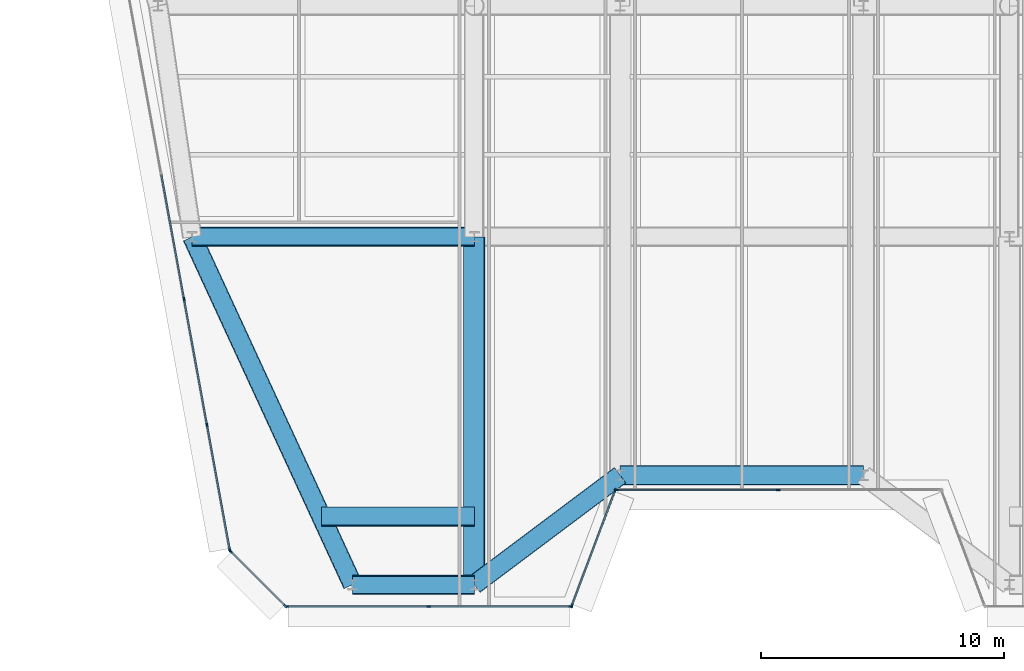
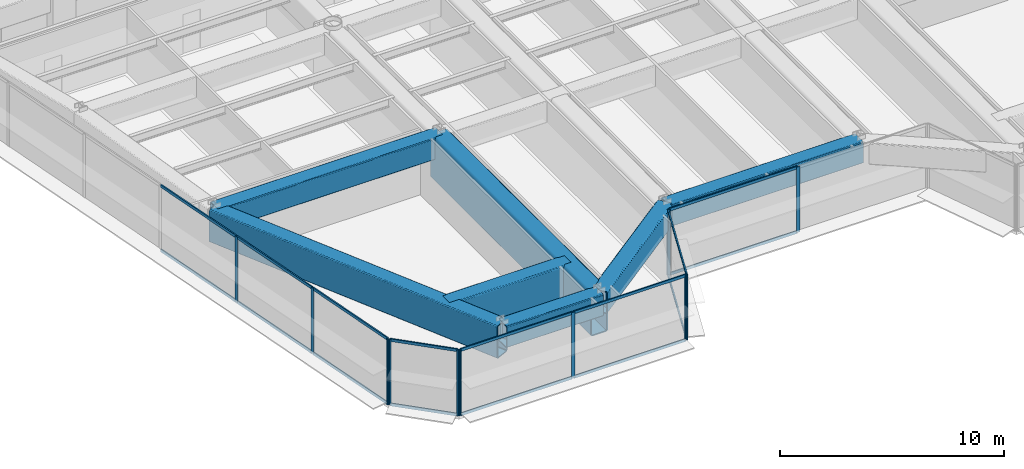
# One storey, part 2 of 17: 28 members, 7 beams, 5 elements without a shape of their own.
"""IFC4 building model written with IfcOpenShell, lengths in metres."""

from ifc_helpers import new_model, si_unit, direction, frame, origin, origin_2d, place, context, subcontext, project, spatial, rectangle, hollow_rectangle, extrude, source, transform, mapped, material, layer, layer_set, material_profile, profile_set, type_object, element, aggregate, save


model = new_model("IFC4")

# Units and contexts
model_context = context("Model", 3, precision=1e-05, world=origin(), true_north=direction((0.0, 1.0)))
body_context = subcontext(model_context, "Body", "Model", "MODEL_VIEW")
ifc_project = project(units=[si_unit("LENGTHUNIT", "METRE"), si_unit("AREAUNIT", "SQUARE_METRE"), si_unit("VOLUMEUNIT", "CUBIC_METRE"), si_unit("PLANEANGLEUNIT", "RADIAN"), si_unit("MASSUNIT", "GRAM", prefix="KILO")], contexts=[model_context])

# Site, building, storey
site_placement = place(None, origin())
site = spatial("IfcSite", under=ifc_project, at=site_placement, CompositionType="ELEMENT")
building_placement = place(site_placement, origin())
building = spatial("IfcBuilding", under=site, at=building_placement, Name="Vaeldorn Concourse Tower", CompositionType="ELEMENT")
storey_placement = place(building_placement, frame((0.0, 0.0, 176.60009765625)))
storey = spatial("IfcBuildingStorey", under=building, at=storey_placement, Name="L45", CompositionType="ELEMENT", Elevation=176.60009765625)

# Beams
ifc_material_1 = material(Name="Steel S460", Category="steel")
ifc_material_profile_1 = material_profile(ifc_material_1, hollow_rectangle(XDim=0.800048828125, YDim=1.199951171875, WallThickness=0.044921875, InnerFilletRadius=0.044921875, OuterFilletRadius=0.090087890625, at=origin_2d()), Name="RHS 1200x800x45")
ifc_profile_set_1 = profile_set([ifc_material_profile_1], Name="Steel S460")
beam_type_1 = type_object("IfcBeamType", Name="BM-TG-RHS1200", PredefinedType="BEAM", material=ifc_profile_set_1)
shared_shape_1 = source(origin(), body_context, "Body", "SweptSolid", [
    extrude(hollow_rectangle(XDim=0.800048828125, YDim=1.199951171875, WallThickness=0.044921875, InnerFilletRadius=0.044921875, OuterFilletRadius=0.090087890625, at=origin_2d()), origin(), (0.0, 0.0, 1.0), 10.0),
])
beam_1_placement = place(storey_placement, frame((29.0, 8.199951171875, 2.97998046875), z_axis=(1.0, 0.0, 0.0), x_axis=(0.0, 1.0, 0.0)))
element("IfcBeam", 1, at=beam_1_placement, inside=storey, type_object=beam_type_1, Name="Beam BM-L45-C-SF3-C-SF4", PredefinedType="BEAM", context=body_context, shape_type="MappedRepresentation", body=[
    mapped(shared_shape_1, transform((0.0, 0.0, 0.0), scale=1.0)),
])
shared_shape_2 = source(origin(), body_context, "Body", "SweptSolid", [
    extrude(hollow_rectangle(XDim=0.800048828125, YDim=1.199951171875, WallThickness=0.044921875, InnerFilletRadius=0.044921875, OuterFilletRadius=0.090087890625, at=origin_2d()), origin(), (0.0, 0.0, 1.0), 11.60009765625),
])
beam_2_placement = place(storey_placement, frame((11.39990234375, 18.0, 2.97998046875), z_axis=(1.0, 0.0, 0.0), x_axis=(0.0, 1.0, 0.0)))
element("IfcBeam", 2, at=beam_2_placement, inside=storey, type_object=beam_type_1, Name="Beam BM-L45-C-FLW2-C-TW5", PredefinedType="BEAM", context=body_context, shape_type="MappedRepresentation", body=[
    mapped(shared_shape_2, transform((0.0, 0.0, 0.0), scale=1.0)),
])
shared_shape_3 = source(origin(), body_context, "Body", "SweptSolid", [
    extrude(hollow_rectangle(XDim=0.800048828125, YDim=1.199951171875, WallThickness=0.044921875, InnerFilletRadius=0.044921875, OuterFilletRadius=0.090087890625, at=origin_2d()), origin(), (0.0, 0.0, 1.0), 5.0),
])
beam_3_placement = place(storey_placement, frame((18.0, 3.699951171875, 2.97998046875), z_axis=(1.0, 0.0, 0.0), x_axis=(0.0, 1.0, 0.0)))
element("IfcBeam", 3, at=beam_3_placement, inside=storey, type_object=beam_type_1, Name="Beam BM-L45-C-SF1-C-SF2", PredefinedType="BEAM", context=body_context, shape_type="MappedRepresentation", body=[
    mapped(shared_shape_3, transform((0.0, 0.0, 0.0), scale=1.0)),
])
shared_shape_4 = source(origin(), body_context, "Body", "SweptSolid", [
    extrude(hollow_rectangle(XDim=0.800048828125, YDim=1.199951171875, WallThickness=0.044921875, InnerFilletRadius=0.044921875, OuterFilletRadius=0.090087890625, at=origin_2d()), origin(), (0.0, 0.0, 1.0), 7.5),
])
beam_4_placement = place(storey_placement, frame((23.0, 3.699951171875, 2.97998046875), z_axis=(0.8, 0.6, 0.0), x_axis=(-0.6, 0.8, 0.0)))
element("IfcBeam", 4, at=beam_4_placement, inside=storey, type_object=beam_type_1, Name="Beam BM-L45-C-SF2-C-SF3", PredefinedType="BEAM", context=body_context, shape_type="MappedRepresentation", body=[
    mapped(shared_shape_4, transform((0.0, 0.0, 0.0), scale=1.0)),
])
ifc_material_profile_2 = material_profile(ifc_material_1, hollow_rectangle(XDim=0.89990234375, YDim=2.39990234375, WallThickness=0.06005859375, InnerFilletRadius=0.06005859375, OuterFilletRadius=0.1201171875, at=origin_2d()), Name="RHS 2400x900x60")
ifc_profile_set_2 = profile_set([ifc_material_profile_2], Name="Steel S460")
beam_type_2 = type_object("IfcBeamType", Name="BM-TG-BOX2400", PredefinedType="BEAM", material=ifc_profile_set_2)
shared_shape_5 = source(origin(), body_context, "Body", "SweptSolid", [
    extrude(hollow_rectangle(XDim=0.89990234375, YDim=2.39990234375, WallThickness=0.06005859375, InnerFilletRadius=0.06005859375, OuterFilletRadius=0.1201171875, at=origin_2d()), origin(), (0.0, 0.0, 1.0), 14.300048828125),
])
beam_5_placement = place(storey_placement, frame((23.0, 3.699951171875, 2.3798828125), z_axis=(0.0, 1.0, 0.0), x_axis=(-1.0, 0.0, 0.0)))
element("IfcBeam", 5, at=beam_5_placement, inside=storey, type_object=beam_type_2, Name="Beam BM-SETBACK-L45-C-SF2", PredefinedType="BEAM", context=body_context, shape_type="MappedRepresentation", body=[
    mapped(shared_shape_5, transform((0.0, 0.0, 0.0), scale=1.0)),
])
ifc_material_profile_3 = material_profile(ifc_material_1, hollow_rectangle(XDim=0.800048828125, YDim=1.800048828125, WallThickness=0.050048828125, InnerFilletRadius=0.050048828125, OuterFilletRadius=0.10009765625, at=origin_2d()), Name="RHS 1800x800x50")
ifc_profile_set_3 = profile_set([ifc_material_profile_3], Name="Steel S460")
beam_type_3 = type_object("IfcBeamType", Name="BM-TG-BOX1800", PredefinedType="BEAM", material=ifc_profile_set_3)
shared_shape_6 = source(origin(), body_context, "Body", "SweptSolid", [
    extrude(hollow_rectangle(XDim=0.800048828125, YDim=1.800048828125, WallThickness=0.050048828125, InnerFilletRadius=0.050048828125, OuterFilletRadius=0.10009765625, at=origin_2d()), origin(), (0.0, 0.0, 1.0), 15.749755859375),
])
beam_6_placement = place(storey_placement, frame((18.0, 3.699951171875, 2.679931640625), z_axis=(-0.419062109495, 0.907957569706, 0.0), x_axis=(-0.907957569706, -0.419062109495, 0.0)))
element("IfcBeam", 6, at=beam_6_placement, inside=storey, type_object=beam_type_3, Name="Beam BM-SETBACK-FL-L45-C-SF1", PredefinedType="BEAM", context=body_context, shape_type="MappedRepresentation", body=[
    mapped(shared_shape_6, transform((0.0, 0.0, 0.0), scale=1.0)),
])
shared_shape_7 = source(origin(), body_context, "Body", "SweptSolid", [
    extrude(hollow_rectangle(XDim=0.800048828125, YDim=1.800048828125, WallThickness=0.050048828125, InnerFilletRadius=0.050048828125, OuterFilletRadius=0.10009765625, at=origin_2d()), origin(), (0.0, 0.0, 1.0), 6.292236328125),
])
beam_7_placement = place(storey_placement, frame((16.707763671875, 6.5, 2.679931640625), z_axis=(1.0, 0.0, 0.0), x_axis=(0.0, 1.0, 0.0)))
element("IfcBeam", 7, at=beam_7_placement, inside=storey, type_object=beam_type_3, Name="Beam BM-SETBACK-EW-L45-C-SF1", PredefinedType="BEAM", context=body_context, shape_type="MappedRepresentation", body=[
    mapped(shared_shape_7, transform((0.0, 0.0, 0.0), scale=1.0)),
])

# Curtain wall, members
ifc_material_2 = material(Name="Anodised Bronze Aluminium", Category="aluminium")
ifc_layer = layer(ifc_material_2, 0.18994140625)
ifc_layer_set = layer_set([ifc_layer], Name="Anodised Bronze Aluminium")
curtain_wall_type = type_object("IfcCurtainWallType", Name="CW-SYS-03", PredefinedType="NOTDEFINED", material=ifc_layer_set)
curtain_wall_1_placement = place(storey_placement, origin())
curtain_wall_1 = element("IfcCurtainWall", 8, at=curtain_wall_1_placement, inside=storey, type_object=curtain_wall_type, Name="Unitised Curtain Wall CW-L45-E01-1", PredefinedType="NOTDEFINED")
ifc_material_profile_4 = material_profile(ifc_material_2, rectangle(XDim=0.06494140625, YDim=0.169921875, at=origin_2d()), Name="CWM 65x170")
ifc_profile_set_4 = profile_set([ifc_material_profile_4], Name="Anodised Bronze Aluminium")
member_type_1 = type_object("IfcMemberType", Name="CWM-BRONZE-170", PredefinedType="MULLION", material=ifc_profile_set_4)
shared_shape_8 = source(origin(), body_context, "Body", "SweptSolid", [
    extrude(rectangle(XDim=0.06494140625, YDim=0.169921875, at=origin_2d()), origin(), (0.0, 0.0, 1.0), 3.579833984375),
])
member_1_placement = place(storey_placement, frame((15.285400390625, 2.800048828125, 0.0), z_axis=(0.0, 0.0, 1.0), x_axis=(0.0, 1.0, 0.0)))
member_1 = element("IfcMember", 9, at=member_1_placement, type_object=member_type_1, Name="CW-03 mullion 1", PredefinedType="MULLION", context=body_context, shape_type="MappedRepresentation", body=[
    mapped(shared_shape_8, transform((0.0, 0.0, 0.0), scale=1.0)),
])
member_2_placement = place(storey_placement, frame((21.12646484375, 2.800048828125, 0.0), z_axis=(0.0, 0.0, 1.0), x_axis=(0.0, 1.0, 0.0)))
member_2 = element("IfcMember", 10, at=member_2_placement, type_object=member_type_1, Name="CW-03 mullion 2", PredefinedType="MULLION", context=body_context, shape_type="MappedRepresentation", body=[
    mapped(shared_shape_8, transform((0.0, 0.0, 0.0), scale=1.0)),
])
member_3_placement = place(storey_placement, frame((26.967529296875, 2.800048828125, 0.0), z_axis=(0.0, 0.0, 1.0), x_axis=(0.0, 1.0, 0.0)))
member_3 = element("IfcMember", 11, at=member_3_placement, type_object=member_type_1, Name="CW-03 mullion 3", PredefinedType="MULLION", context=body_context, shape_type="MappedRepresentation", body=[
    mapped(shared_shape_8, transform((0.0, 0.0, 0.0), scale=1.0)),
])

curtain_wall_2_placement = place(storey_placement, origin())
curtain_wall_2 = element("IfcCurtainWall", 12, at=curtain_wall_2_placement, inside=storey, type_object=curtain_wall_type, Name="Unitised Curtain Wall CW-L45-E02-1", PredefinedType="NOTDEFINED")
member_4_placement = place(storey_placement, frame((27.011474609375, 2.830322265625, 0.0), z_axis=(0.0, 0.0, 1.0), x_axis=(-0.936329177566, 0.351123441595, 0.0)))
member_4 = element("IfcMember", 13, at=member_4_placement, type_object=member_type_1, Name="CW-03 mullion 1", PredefinedType="MULLION", context=body_context, shape_type="MappedRepresentation", body=[
    mapped(shared_shape_8, transform((0.0, 0.0, 0.0), scale=1.0)),
])
member_5_placement = place(storey_placement, frame((28.78857421875, 7.569580078125, 0.0), z_axis=(0.0, 0.0, 1.0), x_axis=(-0.936329177566, 0.351123441595, 0.0)))
member_5 = element("IfcMember", 14, at=member_5_placement, type_object=member_type_1, Name="CW-03 mullion 2", PredefinedType="MULLION", context=body_context, shape_type="MappedRepresentation", body=[
    mapped(shared_shape_8, transform((0.0, 0.0, 0.0), scale=1.0)),
])

curtain_wall_3_placement = place(storey_placement, origin())
curtain_wall_3 = element("IfcCurtainWall", 15, at=curtain_wall_3_placement, inside=storey, type_object=curtain_wall_type, Name="Unitised Curtain Wall CW-L45-E03-1", PredefinedType="NOTDEFINED")
member_6_placement = place(storey_placement, frame((28.83251953125, 7.60009765625, 0.0), z_axis=(0.0, 0.0, 1.0), x_axis=(0.0, 1.0, 0.0)))
member_6 = element("IfcMember", 16, at=member_6_placement, type_object=member_type_1, Name="CW-03 mullion 1", PredefinedType="MULLION", context=body_context, shape_type="MappedRepresentation", body=[
    mapped(shared_shape_8, transform((0.0, 0.0, 0.0), scale=1.0)),
])
member_7_placement = place(storey_placement, frame((35.5, 7.60009765625, 0.0), z_axis=(0.0, 0.0, 1.0), x_axis=(0.0, 1.0, 0.0)))
member_7 = element("IfcMember", 17, at=member_7_placement, type_object=member_type_1, Name="CW-03 mullion 2", PredefinedType="MULLION", context=body_context, shape_type="MappedRepresentation", body=[
    mapped(shared_shape_8, transform((0.0, 0.0, 0.0), scale=1.0)),
])

curtain_wall_4_placement = place(storey_placement, origin())
curtain_wall_4 = element("IfcCurtainWall", 18, at=curtain_wall_4_placement, inside=storey, type_object=curtain_wall_type, Name="Unitised Curtain Wall CW-L45-E11-2", PredefinedType="NOTDEFINED")
member_8_placement = place(storey_placement, frame((11.069091796875, 15.427734375, 0.0), z_axis=(0.0, 0.0, 1.0), x_axis=(0.983767841325, 0.179445909331, 0.0)))
member_8 = element("IfcMember", 19, at=member_8_placement, type_object=member_type_1, Name="CW-03 mullion 5", PredefinedType="MULLION", context=body_context, shape_type="MappedRepresentation", body=[
    mapped(shared_shape_8, transform((0.0, 0.0, 0.0), scale=1.0)),
])
member_9_placement = place(storey_placement, frame((12.010986328125, 10.263916015625, 0.0), z_axis=(0.0, 0.0, 1.0), x_axis=(0.983767841325, 0.179445909331, 0.0)))
member_9 = element("IfcMember", 20, at=member_9_placement, type_object=member_type_1, Name="CW-03 mullion 6", PredefinedType="MULLION", context=body_context, shape_type="MappedRepresentation", body=[
    mapped(shared_shape_8, transform((0.0, 0.0, 0.0), scale=1.0)),
])
member_10_placement = place(storey_placement, frame((12.947265625, 5.132080078125, 0.0), z_axis=(0.0, 0.0, 1.0), x_axis=(0.983767841325, 0.179445909331, 0.0)))
member_10 = element("IfcMember", 21, at=member_10_placement, type_object=member_type_1, Name="CW-03 mullion 7", PredefinedType="MULLION", context=body_context, shape_type="MappedRepresentation", body=[
    mapped(shared_shape_8, transform((0.0, 0.0, 0.0), scale=1.0)),
])

curtain_wall_5_placement = place(storey_placement, origin())
curtain_wall_5 = element("IfcCurtainWall", 22, at=curtain_wall_5_placement, inside=storey, type_object=curtain_wall_type, Name="Unitised Curtain Wall CW-L45-E12-1", PredefinedType="NOTDEFINED")
member_11_placement = place(storey_placement, frame((12.97607421875, 5.076904296875, 0.0), z_axis=(0.0, 0.0, 1.0), x_axis=(0.707106781187, 0.707106781187, 0.0)))
member_11 = element("IfcMember", 23, at=member_11_placement, type_object=member_type_1, Name="CW-03 mullion 1", PredefinedType="MULLION", context=body_context, shape_type="MappedRepresentation", body=[
    mapped(shared_shape_8, transform((0.0, 0.0, 0.0), scale=1.0)),
])
member_12_placement = place(storey_placement, frame((15.22998046875, 2.822998046875, 0.0), z_axis=(0.0, 0.0, 1.0), x_axis=(0.707106781187, 0.707106781187, 0.0)))
member_12 = element("IfcMember", 24, at=member_12_placement, type_object=member_type_1, Name="CW-03 mullion 2", PredefinedType="MULLION", context=body_context, shape_type="MappedRepresentation", body=[
    mapped(shared_shape_8, transform((0.0, 0.0, 0.0), scale=1.0)),
])

# Member
ifc_material_profile_5 = material_profile(ifc_material_2, rectangle(XDim=0.06494140625, YDim=0.14990234375, at=origin_2d()), Name="CWT 65x150")
ifc_profile_set_5 = profile_set([ifc_material_profile_5], Name="Anodised Bronze Aluminium")
member_type_2 = type_object("IfcMemberType", Name="CWT-BRONZE-150", PredefinedType="USERDEFINED", material=ifc_profile_set_5)
shared_shape_9 = source(origin(), body_context, "Body", "SweptSolid", [
    extrude(rectangle(XDim=0.06494140625, YDim=0.14990234375, at=origin_2d()), origin(), (0.0, 0.0, 1.0), 4.996337890625),
])
member_13_placement = place(storey_placement, frame((27.022705078125, 2.86083984375, 0.032470703125), z_axis=(0.351134151405, 0.936325161318, 0.0), x_axis=(-0.936325161318, 0.351134151405, 0.0)))
member_13 = element("IfcMember", 25, at=member_13_placement, type_object=member_type_2, Name="CW-03 transom 1.1", ObjectType="TRANSOM", PredefinedType="USERDEFINED", context=body_context, shape_type="MappedRepresentation", body=[
    mapped(shared_shape_9, transform((0.0, 0.0, 0.0), scale=1.0)),
])

member_14_placement = place(storey_placement, frame((27.022705078125, 2.86083984375, 3.54736328125), z_axis=(0.351134151405, 0.936325161318, 0.0), x_axis=(-0.936325161318, 0.351134151405, 0.0)))
member_14 = element("IfcMember", 26, at=member_14_placement, type_object=member_type_2, Name="CW-03 transom 1.2", ObjectType="TRANSOM", PredefinedType="USERDEFINED", context=body_context, shape_type="MappedRepresentation", body=[
    mapped(shared_shape_9, transform((0.0, 0.0, 0.0), scale=1.0)),
])

aggregate(curtain_wall_2, [member_4, member_5, member_13, member_14])

shared_shape_10 = source(origin(), body_context, "Body", "SweptSolid", [
    extrude(rectangle(XDim=0.06494140625, YDim=0.14990234375, at=origin_2d()), origin(), (0.0, 0.0, 1.0), 6.6025390625),
])
member_15_placement = place(storey_placement, frame((28.864990234375, 7.60009765625, 0.032470703125), z_axis=(1.0, 0.0, 0.0), x_axis=(0.0, 1.0, 0.0)))
member_15 = element("IfcMember", 27, at=member_15_placement, type_object=member_type_2, Name="CW-03 transom 1.1", ObjectType="TRANSOM", PredefinedType="USERDEFINED", context=body_context, shape_type="MappedRepresentation", body=[
    mapped(shared_shape_10, transform((0.0, 0.0, 0.0), scale=1.0)),
])

member_16_placement = place(storey_placement, frame((28.864990234375, 7.60009765625, 3.54736328125), z_axis=(1.0, 0.0, 0.0), x_axis=(0.0, 1.0, 0.0)))
member_16 = element("IfcMember", 28, at=member_16_placement, type_object=member_type_2, Name="CW-03 transom 1.2", ObjectType="TRANSOM", PredefinedType="USERDEFINED", context=body_context, shape_type="MappedRepresentation", body=[
    mapped(shared_shape_10, transform((0.0, 0.0, 0.0), scale=1.0)),
])

aggregate(curtain_wall_3, [member_6, member_7, member_15, member_16])

shared_shape_11 = source(origin(), body_context, "Body", "SweptSolid", [
    extrude(rectangle(XDim=0.06494140625, YDim=0.14990234375, at=origin_2d()), origin(), (0.0, 0.0, 1.0), 3.12255859375),
])
member_17_placement = place(storey_placement, frame((12.9990234375, 5.053955078125, 0.032470703125), z_axis=(0.707106781187, -0.707106781187, 0.0), x_axis=(0.707106781187, 0.707106781187, 0.0)))
member_17 = element("IfcMember", 29, at=member_17_placement, type_object=member_type_2, Name="CW-03 transom 1.1", ObjectType="TRANSOM", PredefinedType="USERDEFINED", context=body_context, shape_type="MappedRepresentation", body=[
    mapped(shared_shape_11, transform((0.0, 0.0, 0.0), scale=1.0)),
])

member_18_placement = place(storey_placement, frame((12.9990234375, 5.053955078125, 3.54736328125), z_axis=(0.707106781187, -0.707106781187, 0.0), x_axis=(0.707106781187, 0.707106781187, 0.0)))
member_18 = element("IfcMember", 30, at=member_18_placement, type_object=member_type_2, Name="CW-03 transom 1.2", ObjectType="TRANSOM", PredefinedType="USERDEFINED", context=body_context, shape_type="MappedRepresentation", body=[
    mapped(shared_shape_11, transform((0.0, 0.0, 0.0), scale=1.0)),
])

aggregate(curtain_wall_5, [member_11, member_12, member_17, member_18])

shared_shape_12 = source(origin(), body_context, "Body", "SweptSolid", [
    extrude(rectangle(XDim=0.06494140625, YDim=0.14990234375, at=origin_2d()), origin(), (0.0, 0.0, 1.0), 5.77587890625),
])
member_19_placement = place(storey_placement, frame((15.318115234375, 2.800048828125, 0.032470703125), z_axis=(1.0, 0.0, 0.0), x_axis=(0.0, 1.0, 0.0)))
member_19 = element("IfcMember", 31, at=member_19_placement, type_object=member_type_2, Name="CW-03 transom 1.1", ObjectType="TRANSOM", PredefinedType="USERDEFINED", context=body_context, shape_type="MappedRepresentation", body=[
    mapped(shared_shape_12, transform((0.0, 0.0, 0.0), scale=1.0)),
])

member_20_placement = place(storey_placement, frame((15.318115234375, 2.800048828125, 3.54736328125), z_axis=(1.0, 0.0, 0.0), x_axis=(0.0, 1.0, 0.0)))
member_20 = element("IfcMember", 32, at=member_20_placement, type_object=member_type_2, Name="CW-03 transom 1.2", ObjectType="TRANSOM", PredefinedType="USERDEFINED", context=body_context, shape_type="MappedRepresentation", body=[
    mapped(shared_shape_12, transform((0.0, 0.0, 0.0), scale=1.0)),
])

shared_shape_13 = source(origin(), body_context, "Body", "SweptSolid", [
    extrude(rectangle(XDim=0.06494140625, YDim=0.14990234375, at=origin_2d()), origin(), (0.0, 0.0, 1.0), 5.776123046875),
])
member_21_placement = place(storey_placement, frame((21.158935546875, 2.800048828125, 0.032470703125), z_axis=(1.0, 0.0, 0.0), x_axis=(0.0, 1.0, 0.0)))
member_21 = element("IfcMember", 33, at=member_21_placement, type_object=member_type_2, Name="CW-03 transom 2.1", ObjectType="TRANSOM", PredefinedType="USERDEFINED", context=body_context, shape_type="MappedRepresentation", body=[
    mapped(shared_shape_13, transform((0.0, 0.0, 0.0), scale=1.0)),
])

member_22_placement = place(storey_placement, frame((21.158935546875, 2.800048828125, 3.54736328125), z_axis=(1.0, 0.0, 0.0), x_axis=(0.0, 1.0, 0.0)))
member_22 = element("IfcMember", 34, at=member_22_placement, type_object=member_type_2, Name="CW-03 transom 2.2", ObjectType="TRANSOM", PredefinedType="USERDEFINED", context=body_context, shape_type="MappedRepresentation", body=[
    mapped(shared_shape_13, transform((0.0, 0.0, 0.0), scale=1.0)),
])

aggregate(curtain_wall_1, [member_1, member_2, member_3, member_19, member_20, member_21, member_22])

shared_shape_14 = source(origin(), body_context, "Body", "SweptSolid", [
    extrude(rectangle(XDim=0.06494140625, YDim=0.14990234375, at=origin_2d()), origin(), (0.0, 0.0, 1.0), 5.151611328125),
])
member_23_placement = place(storey_placement, frame((12.016845703125, 10.23193359375, 0.032470703125), z_axis=(0.179473445995, -0.983762818053, 0.0), x_axis=(0.983762818053, 0.179473445995, 0.0)))
member_23 = element("IfcMember", 35, at=member_23_placement, type_object=member_type_2, Name="CW-03 transom 6.1", ObjectType="TRANSOM", PredefinedType="USERDEFINED", context=body_context, shape_type="MappedRepresentation", body=[
    mapped(shared_shape_14, transform((0.0, 0.0, 0.0), scale=1.0)),
])

member_24_placement = place(storey_placement, frame((12.016845703125, 10.23193359375, 3.54736328125), z_axis=(0.179473445995, -0.983762818053, 0.0), x_axis=(0.983762818053, 0.179473445995, 0.0)))
member_24 = element("IfcMember", 36, at=member_24_placement, type_object=member_type_2, Name="CW-03 transom 6.2", ObjectType="TRANSOM", PredefinedType="USERDEFINED", context=body_context, shape_type="MappedRepresentation", body=[
    mapped(shared_shape_14, transform((0.0, 0.0, 0.0), scale=1.0)),
])

shared_shape_15 = source(origin(), body_context, "Body", "SweptSolid", [
    extrude(rectangle(XDim=0.06494140625, YDim=0.14990234375, at=origin_2d()), origin(), (0.0, 0.0, 1.0), 5.18408203125),
])
member_25_placement = place(storey_placement, frame((11.074951171875, 15.395751953125, 0.032470703125), z_axis=(0.179432467646, -0.983770293084, 0.0), x_axis=(0.983770293084, 0.179432467646, 0.0)))
member_25 = element("IfcMember", 37, at=member_25_placement, type_object=member_type_2, Name="CW-03 transom 5.1", ObjectType="TRANSOM", PredefinedType="USERDEFINED", context=body_context, shape_type="MappedRepresentation", body=[
    mapped(shared_shape_15, transform((0.0, 0.0, 0.0), scale=1.0)),
])

member_26_placement = place(storey_placement, frame((11.074951171875, 15.395751953125, 3.54736328125), z_axis=(0.179432467646, -0.983770293084, 0.0), x_axis=(0.983770293084, 0.179432467646, 0.0)))
member_26 = element("IfcMember", 38, at=member_26_placement, type_object=member_type_2, Name="CW-03 transom 5.2", ObjectType="TRANSOM", PredefinedType="USERDEFINED", context=body_context, shape_type="MappedRepresentation", body=[
    mapped(shared_shape_15, transform((0.0, 0.0, 0.0), scale=1.0)),
])

shared_shape_16 = source(origin(), body_context, "Body", "SweptSolid", [
    extrude(rectangle(XDim=0.06494140625, YDim=0.14990234375, at=origin_2d()), origin(), (0.0, 0.0, 1.0), 5.184326171875),
])
member_27_placement = place(storey_placement, frame((10.133056640625, 20.559814453125, 0.032470703125), z_axis=(0.179424154775, -0.983771809254, 0.0), x_axis=(0.983771809254, 0.179424154775, 0.0)))
member_27 = element("IfcMember", 39, at=member_27_placement, type_object=member_type_2, Name="CW-03 transom 4.1", ObjectType="TRANSOM", PredefinedType="USERDEFINED", context=body_context, shape_type="MappedRepresentation", body=[
    mapped(shared_shape_16, transform((0.0, 0.0, 0.0), scale=1.0)),
])

member_28_placement = place(storey_placement, frame((10.133056640625, 20.559814453125, 3.54736328125), z_axis=(0.179424154775, -0.983771809254, 0.0), x_axis=(0.983771809254, 0.179424154775, 0.0)))
member_28 = element("IfcMember", 40, at=member_28_placement, type_object=member_type_2, Name="CW-03 transom 4.2", ObjectType="TRANSOM", PredefinedType="USERDEFINED", context=body_context, shape_type="MappedRepresentation", body=[
    mapped(shared_shape_16, transform((0.0, 0.0, 0.0), scale=1.0)),
])

aggregate(curtain_wall_4, [member_8, member_9, member_10, member_27, member_28, member_25, member_26, member_23, member_24])

save(model, "model.ifc")
